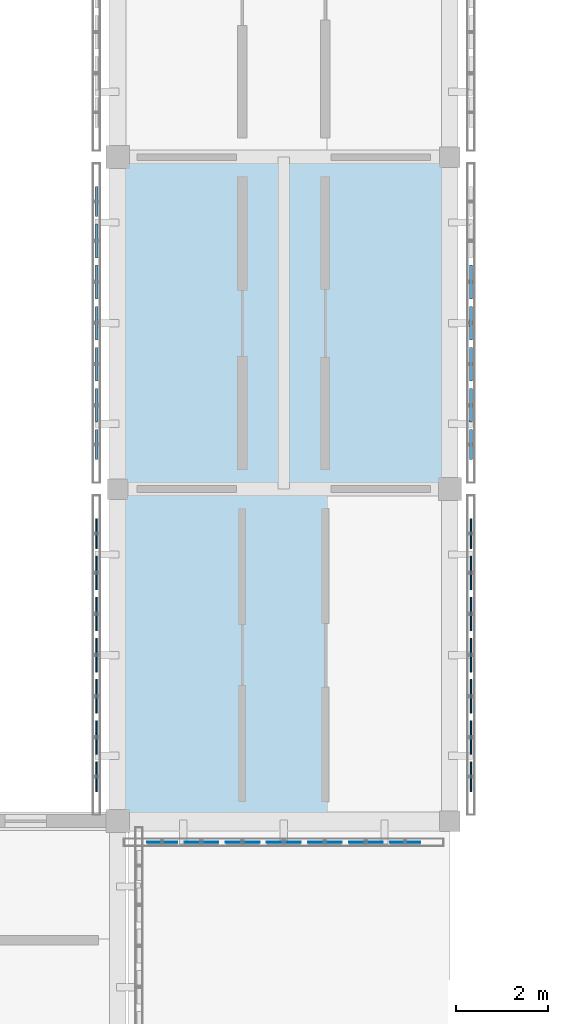
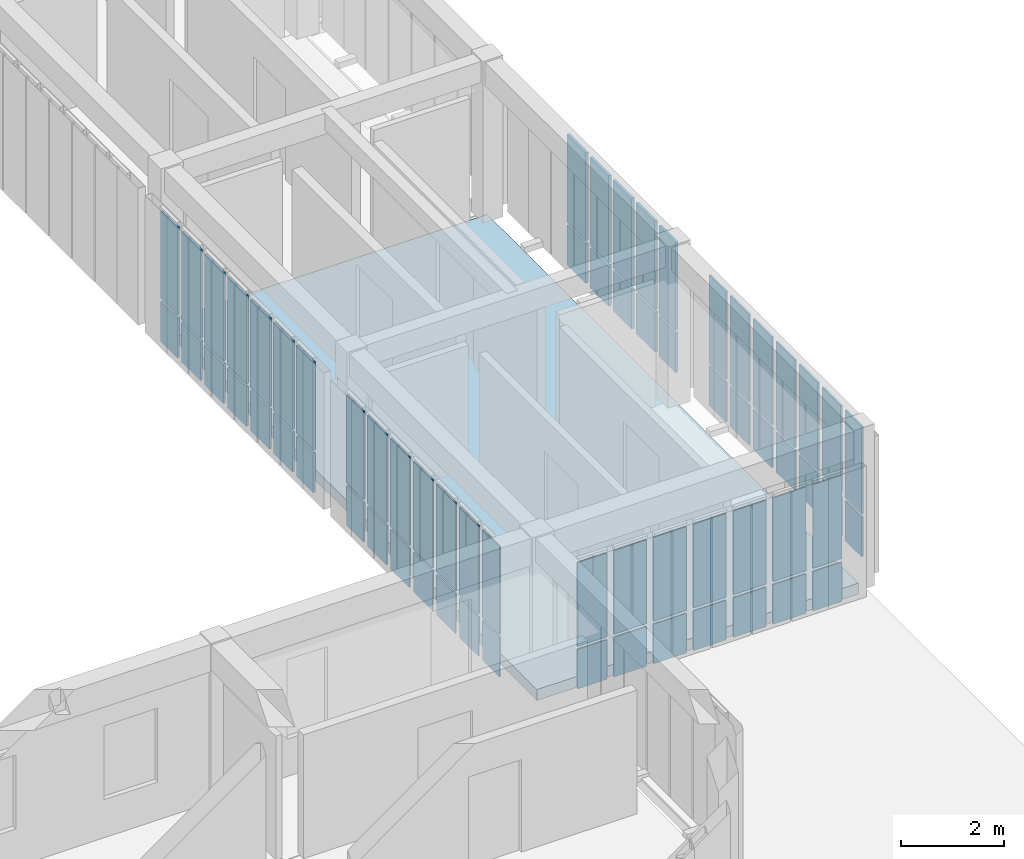
# One storey, part 39 of 67: 66 plates, 1 slab, 5 elements without a shape of their own.
"""IFC4 building model written with IfcOpenShell, lengths in metres."""

from ifc_helpers import new_model, si_unit, direction, frame, origin, origin_2d, place, context, subcontext, project, spatial, polyline, rectangle, outline, extrude, material, layer, layer_set, type_object, element, aggregate, save


model = new_model("IFC4")

# Units and contexts
model_context = context("Model", 3, precision=1e-05, world=origin(), true_north=direction((0.0, 1.0)))
body_context = subcontext(model_context, "Body", "Model", "MODEL_VIEW")
ifc_project = project(units=[si_unit("LENGTHUNIT", "METRE"), si_unit("AREAUNIT", "SQUARE_METRE"), si_unit("VOLUMEUNIT", "CUBIC_METRE"), si_unit("PLANEANGLEUNIT", "RADIAN"), si_unit("MASSUNIT", "GRAM", prefix="KILO")], contexts=[model_context])

# Site, building, storey
site_placement = place(None, origin())
site = spatial("IfcSite", under=ifc_project, at=site_placement, CompositionType="ELEMENT")
building_placement = place(site_placement, origin())
building = spatial("IfcBuilding", under=site, at=building_placement, Name="Aldebral Square Health Centre", CompositionType="ELEMENT")
storey_placement = place(building_placement, frame((0.0, 0.0, 13.5)))
storey = spatial("IfcBuildingStorey", under=building, at=storey_placement, Name="L03", CompositionType="ELEMENT", Elevation=13.5)

# Curtain wall, plates
ifc_material_1 = material(Name="Aluminium and low-E solar glass", Category="aluminium")
curtain_wall_type = type_object("IfcCurtainWallType", Name="CW-FIN-SYS", PredefinedType="USERDEFINED", material=ifc_material_1)
curtain_wall_1_placement = place(storey_placement, origin())
curtain_wall_1 = element("IfcCurtainWall", 1, at=curtain_wall_1_placement, inside=storey, type_object=curtain_wall_type, Name="L03 V4 finned curtain wall L03-V4-03-09-S", ObjectType="SOLAR_CURTAIN_WALL", PredefinedType="USERDEFINED")
ifc_material_2 = material(Name="Solar-control low-E double glass", Category="glass")
ifc_layer_1 = layer(ifc_material_2, 0.02001953125, Name="Solar-control low-E double glass", Category="glass")
ifc_layer_set_1 = layer_set([ifc_layer_1], Name="Solar-control low-E double glass")
plate_type_1 = type_object("IfcPlateType", Name="CWP-GLZ-1", PredefinedType="CURTAIN_PANEL", material=ifc_layer_set_1)
plate_1_placement = place(storey_placement, frame((22.565673828125, 64.340087890625, 0.074951171875), z_axis=(0.0, 0.0, 1.0), x_axis=(1.0, 0.0, 0.0)))
plate_1 = element("IfcPlate", 2, at=plate_1_placement, type_object=plate_type_1, Name="CW1 panel 1.1", PredefinedType="CURTAIN_PANEL", context=body_context, shape_type="SweptSolid", body=[
    extrude(rectangle(XDim=0.6513671875, YDim=0.02001953125, at=origin_2d()), origin(), (0.0, 0.0, 1.0), 0.9375),
])
plate_2_placement = place(storey_placement, frame((22.565673828125, 64.340087890625, 1.08740234375), z_axis=(0.0, 0.0, 1.0), x_axis=(1.0, 0.0, 0.0)))
plate_2 = element("IfcPlate", 3, at=plate_2_placement, type_object=plate_type_1, Name="CW1 panel 1.2", PredefinedType="CURTAIN_PANEL", context=body_context, shape_type="SweptSolid", body=[
    extrude(rectangle(XDim=0.6513671875, YDim=0.02001953125, at=origin_2d()), origin(), (0.0, 0.0, 1.0), 1.9775390625),
])
plate_3_placement = place(storey_placement, frame((23.417236328125, 64.340087890625, 0.074951171875), z_axis=(0.0, 0.0, 1.0), x_axis=(1.0, 0.0, 0.0)))
plate_3 = element("IfcPlate", 4, at=plate_3_placement, type_object=plate_type_1, Name="CW1 panel 2.1", PredefinedType="CURTAIN_PANEL", context=body_context, shape_type="SweptSolid", body=[
    extrude(rectangle(XDim=0.7314453125, YDim=0.02001953125, at=origin_2d()), origin(), (0.0, 0.0, 1.0), 0.9375),
])
plate_4_placement = place(storey_placement, frame((23.417236328125, 64.340087890625, 1.08740234375), z_axis=(0.0, 0.0, 1.0), x_axis=(1.0, 0.0, 0.0)))
plate_4 = element("IfcPlate", 5, at=plate_4_placement, type_object=plate_type_1, Name="CW1 panel 2.2", PredefinedType="CURTAIN_PANEL", context=body_context, shape_type="SweptSolid", body=[
    extrude(rectangle(XDim=0.7314453125, YDim=0.02001953125, at=origin_2d()), origin(), (0.0, 0.0, 1.0), 1.9775390625),
])
plate_5_placement = place(storey_placement, frame((24.30859375, 64.340087890625, 0.074951171875), z_axis=(0.0, 0.0, 1.0), x_axis=(1.0, 0.0, 0.0)))
plate_5 = element("IfcPlate", 6, at=plate_5_placement, type_object=plate_type_1, Name="CW1 panel 3.1", PredefinedType="CURTAIN_PANEL", context=body_context, shape_type="SweptSolid", body=[
    extrude(rectangle(XDim=0.7314453125, YDim=0.02001953125, at=origin_2d()), origin(), (0.0, 0.0, 1.0), 0.9375),
])
plate_6_placement = place(storey_placement, frame((24.30859375, 64.340087890625, 1.08740234375), z_axis=(0.0, 0.0, 1.0), x_axis=(1.0, 0.0, 0.0)))
plate_6 = element("IfcPlate", 7, at=plate_6_placement, type_object=plate_type_1, Name="CW1 panel 3.2", PredefinedType="CURTAIN_PANEL", context=body_context, shape_type="SweptSolid", body=[
    extrude(rectangle(XDim=0.7314453125, YDim=0.02001953125, at=origin_2d()), origin(), (0.0, 0.0, 1.0), 1.9775390625),
])
plate_7_placement = place(storey_placement, frame((25.199951171875, 64.340087890625, 0.074951171875), z_axis=(0.0, 0.0, 1.0), x_axis=(1.0, 0.0, 0.0)))
plate_7 = element("IfcPlate", 8, at=plate_7_placement, type_object=plate_type_1, Name="CW1 panel 4.1", PredefinedType="CURTAIN_PANEL", context=body_context, shape_type="SweptSolid", body=[
    extrude(rectangle(XDim=0.7314453125, YDim=0.02001953125, at=origin_2d()), origin(), (0.0, 0.0, 1.0), 0.9375),
])
plate_8_placement = place(storey_placement, frame((25.199951171875, 64.340087890625, 1.08740234375), z_axis=(0.0, 0.0, 1.0), x_axis=(1.0, 0.0, 0.0)))
plate_8 = element("IfcPlate", 9, at=plate_8_placement, type_object=plate_type_1, Name="CW1 panel 4.2", PredefinedType="CURTAIN_PANEL", context=body_context, shape_type="SweptSolid", body=[
    extrude(rectangle(XDim=0.7314453125, YDim=0.02001953125, at=origin_2d()), origin(), (0.0, 0.0, 1.0), 1.9775390625),
])
plate_9_placement = place(storey_placement, frame((26.09130859375, 64.340087890625, 0.074951171875), z_axis=(0.0, 0.0, 1.0), x_axis=(1.0, 0.0, 0.0)))
plate_9 = element("IfcPlate", 10, at=plate_9_placement, type_object=plate_type_1, Name="CW1 panel 5.1", PredefinedType="CURTAIN_PANEL", context=body_context, shape_type="SweptSolid", body=[
    extrude(rectangle(XDim=0.7314453125, YDim=0.02001953125, at=origin_2d()), origin(), (0.0, 0.0, 1.0), 0.9375),
])
plate_10_placement = place(storey_placement, frame((26.09130859375, 64.340087890625, 1.08740234375), z_axis=(0.0, 0.0, 1.0), x_axis=(1.0, 0.0, 0.0)))
plate_10 = element("IfcPlate", 11, at=plate_10_placement, type_object=plate_type_1, Name="CW1 panel 5.2", PredefinedType="CURTAIN_PANEL", context=body_context, shape_type="SweptSolid", body=[
    extrude(rectangle(XDim=0.7314453125, YDim=0.02001953125, at=origin_2d()), origin(), (0.0, 0.0, 1.0), 1.9775390625),
])
plate_11_placement = place(storey_placement, frame((26.98291015625, 64.340087890625, 0.074951171875), z_axis=(0.0, 0.0, 1.0), x_axis=(1.0, 0.0, 0.0)))
plate_11 = element("IfcPlate", 12, at=plate_11_placement, type_object=plate_type_1, Name="CW1 panel 6.1", PredefinedType="CURTAIN_PANEL", context=body_context, shape_type="SweptSolid", body=[
    extrude(rectangle(XDim=0.7314453125, YDim=0.02001953125, at=origin_2d()), origin(), (0.0, 0.0, 1.0), 0.9375),
])
plate_12_placement = place(storey_placement, frame((26.98291015625, 64.340087890625, 1.08740234375), z_axis=(0.0, 0.0, 1.0), x_axis=(1.0, 0.0, 0.0)))
plate_12 = element("IfcPlate", 13, at=plate_12_placement, type_object=plate_type_1, Name="CW1 panel 6.2", PredefinedType="CURTAIN_PANEL", context=body_context, shape_type="SweptSolid", body=[
    extrude(rectangle(XDim=0.7314453125, YDim=0.02001953125, at=origin_2d()), origin(), (0.0, 0.0, 1.0), 1.9775390625),
])
plate_13_placement = place(storey_placement, frame((27.834228515625, 64.340087890625, 0.074951171875), z_axis=(0.0, 0.0, 1.0), x_axis=(1.0, 0.0, 0.0)))
plate_13 = element("IfcPlate", 14, at=plate_13_placement, type_object=plate_type_1, Name="CW1 panel 7.1", PredefinedType="CURTAIN_PANEL", context=body_context, shape_type="SweptSolid", body=[
    extrude(rectangle(XDim=0.6513671875, YDim=0.02001953125, at=origin_2d()), origin(), (0.0, 0.0, 1.0), 0.9375),
])
plate_14_placement = place(storey_placement, frame((27.834228515625, 64.340087890625, 1.08740234375), z_axis=(0.0, 0.0, 1.0), x_axis=(1.0, 0.0, 0.0)))
plate_14 = element("IfcPlate", 15, at=plate_14_placement, type_object=plate_type_1, Name="CW1 panel 7.2", PredefinedType="CURTAIN_PANEL", context=body_context, shape_type="SweptSolid", body=[
    extrude(rectangle(XDim=0.6513671875, YDim=0.02001953125, at=origin_2d()), origin(), (0.0, 0.0, 1.0), 1.9775390625),
])
aggregate(curtain_wall_1, [plate_1, plate_2, plate_3, plate_4, plate_5, plate_6, plate_7, plate_8, plate_9, plate_10, plate_11, plate_12, plate_13, plate_14])

curtain_wall_2_placement = place(storey_placement, origin())
curtain_wall_2 = element("IfcCurtainWall", 16, at=curtain_wall_2_placement, inside=storey, type_object=curtain_wall_type, Name="L03 V4 finned curtain wall L03-V4-03-09-W", ObjectType="SOLAR_CURTAIN_WALL", PredefinedType="USERDEFINED")
ifc_layer_2 = layer(ifc_material_2, 0.030029296875, Name="Solar-control low-E double glass", Category="glass")
ifc_layer_set_2 = layer_set([ifc_layer_2], Name="Solar-control low-E double glass")
plate_type_2 = type_object("IfcPlateType", Name="CWP-GLZ-2", PredefinedType="CURTAIN_PANEL", material=ifc_layer_set_2)
plate_15_placement = place(storey_placement, frame((21.139892578125, 71.0341796875, 0.074951171875), z_axis=(0.0, 0.0, 1.0), x_axis=(0.0, -1.0, 0.0)))
plate_15 = element("IfcPlate", 17, at=plate_15_placement, type_object=plate_type_2, Name="CW1 panel 1.1", PredefinedType="CURTAIN_PANEL", context=body_context, shape_type="SweptSolid", body=[
    extrude(rectangle(XDim=0.6513671875, YDim=0.030029296875, at=origin_2d()), origin(), (0.0, 0.0, 1.0), 0.9375),
])
plate_16_placement = place(storey_placement, frame((21.139892578125, 71.0341796875, 1.08740234375), z_axis=(0.0, 0.0, 1.0), x_axis=(0.0, -1.0, 0.0)))
plate_16 = element("IfcPlate", 18, at=plate_16_placement, type_object=plate_type_2, Name="CW1 panel 1.2", PredefinedType="CURTAIN_PANEL", context=body_context, shape_type="SweptSolid", body=[
    extrude(rectangle(XDim=0.6513671875, YDim=0.030029296875, at=origin_2d()), origin(), (0.0, 0.0, 1.0), 2.077392578125),
])
plate_17_placement = place(storey_placement, frame((21.139892578125, 70.182861328125, 0.074951171875), z_axis=(0.0, 0.0, 1.0), x_axis=(0.0, -1.0, 0.0)))
plate_17 = element("IfcPlate", 19, at=plate_17_placement, type_object=plate_type_2, Name="CW1 panel 2.1", PredefinedType="CURTAIN_PANEL", context=body_context, shape_type="SweptSolid", body=[
    extrude(rectangle(XDim=0.7314453125, YDim=0.030029296875, at=origin_2d()), origin(), (0.0, 0.0, 1.0), 0.9375),
])
plate_18_placement = place(storey_placement, frame((21.139892578125, 70.182861328125, 1.08740234375), z_axis=(0.0, 0.0, 1.0), x_axis=(0.0, -1.0, 0.0)))
plate_18 = element("IfcPlate", 20, at=plate_18_placement, type_object=plate_type_2, Name="CW1 panel 2.2", PredefinedType="CURTAIN_PANEL", context=body_context, shape_type="SweptSolid", body=[
    extrude(rectangle(XDim=0.7314453125, YDim=0.030029296875, at=origin_2d()), origin(), (0.0, 0.0, 1.0), 2.077392578125),
])
plate_19_placement = place(storey_placement, frame((21.139892578125, 69.29150390625, 0.074951171875), z_axis=(0.0, 0.0, 1.0), x_axis=(0.0, -1.0, 0.0)))
plate_19 = element("IfcPlate", 21, at=plate_19_placement, type_object=plate_type_2, Name="CW1 panel 3.1", PredefinedType="CURTAIN_PANEL", context=body_context, shape_type="SweptSolid", body=[
    extrude(rectangle(XDim=0.7314453125, YDim=0.030029296875, at=origin_2d()), origin(), (0.0, 0.0, 1.0), 0.9375),
])
plate_20_placement = place(storey_placement, frame((21.139892578125, 69.29150390625, 1.08740234375), z_axis=(0.0, 0.0, 1.0), x_axis=(0.0, -1.0, 0.0)))
plate_20 = element("IfcPlate", 22, at=plate_20_placement, type_object=plate_type_2, Name="CW1 panel 3.2", PredefinedType="CURTAIN_PANEL", context=body_context, shape_type="SweptSolid", body=[
    extrude(rectangle(XDim=0.7314453125, YDim=0.030029296875, at=origin_2d()), origin(), (0.0, 0.0, 1.0), 2.077392578125),
])
plate_21_placement = place(storey_placement, frame((21.139892578125, 68.39990234375, 0.074951171875), z_axis=(0.0, 0.0, 1.0), x_axis=(0.0, -1.0, 0.0)))
plate_21 = element("IfcPlate", 23, at=plate_21_placement, type_object=plate_type_2, Name="CW1 panel 4.1", PredefinedType="CURTAIN_PANEL", context=body_context, shape_type="SweptSolid", body=[
    extrude(rectangle(XDim=0.7314453125, YDim=0.030029296875, at=origin_2d()), origin(), (0.0, 0.0, 1.0), 0.9375),
])
plate_22_placement = place(storey_placement, frame((21.139892578125, 68.39990234375, 1.08740234375), z_axis=(0.0, 0.0, 1.0), x_axis=(0.0, -1.0, 0.0)))
plate_22 = element("IfcPlate", 24, at=plate_22_placement, type_object=plate_type_2, Name="CW1 panel 4.2", PredefinedType="CURTAIN_PANEL", context=body_context, shape_type="SweptSolid", body=[
    extrude(rectangle(XDim=0.7314453125, YDim=0.030029296875, at=origin_2d()), origin(), (0.0, 0.0, 1.0), 2.077392578125),
])
plate_23_placement = place(storey_placement, frame((21.139892578125, 67.508544921875, 0.074951171875), z_axis=(0.0, 0.0, 1.0), x_axis=(0.0, -1.0, 0.0)))
plate_23 = element("IfcPlate", 25, at=plate_23_placement, type_object=plate_type_2, Name="CW1 panel 5.1", PredefinedType="CURTAIN_PANEL", context=body_context, shape_type="SweptSolid", body=[
    extrude(rectangle(XDim=0.7314453125, YDim=0.030029296875, at=origin_2d()), origin(), (0.0, 0.0, 1.0), 0.9375),
])
plate_24_placement = place(storey_placement, frame((21.139892578125, 67.508544921875, 1.08740234375), z_axis=(0.0, 0.0, 1.0), x_axis=(0.0, -1.0, 0.0)))
plate_24 = element("IfcPlate", 26, at=plate_24_placement, type_object=plate_type_2, Name="CW1 panel 5.2", PredefinedType="CURTAIN_PANEL", context=body_context, shape_type="SweptSolid", body=[
    extrude(rectangle(XDim=0.7314453125, YDim=0.030029296875, at=origin_2d()), origin(), (0.0, 0.0, 1.0), 2.077392578125),
])
plate_25_placement = place(storey_placement, frame((21.139892578125, 66.6171875, 0.074951171875), z_axis=(0.0, 0.0, 1.0), x_axis=(0.0, -1.0, 0.0)))
plate_25 = element("IfcPlate", 27, at=plate_25_placement, type_object=plate_type_2, Name="CW1 panel 6.1", PredefinedType="CURTAIN_PANEL", context=body_context, shape_type="SweptSolid", body=[
    extrude(rectangle(XDim=0.7314453125, YDim=0.030029296875, at=origin_2d()), origin(), (0.0, 0.0, 1.0), 0.9375),
])
plate_26_placement = place(storey_placement, frame((21.139892578125, 66.6171875, 1.08740234375), z_axis=(0.0, 0.0, 1.0), x_axis=(0.0, -1.0, 0.0)))
plate_26 = element("IfcPlate", 28, at=plate_26_placement, type_object=plate_type_2, Name="CW1 panel 6.2", PredefinedType="CURTAIN_PANEL", context=body_context, shape_type="SweptSolid", body=[
    extrude(rectangle(XDim=0.7314453125, YDim=0.030029296875, at=origin_2d()), origin(), (0.0, 0.0, 1.0), 2.077392578125),
])
plate_27_placement = place(storey_placement, frame((21.139892578125, 65.765625, 0.074951171875), z_axis=(0.0, 0.0, 1.0), x_axis=(0.0, -1.0, 0.0)))
plate_27 = element("IfcPlate", 29, at=plate_27_placement, type_object=plate_type_2, Name="CW1 panel 7.1", PredefinedType="CURTAIN_PANEL", context=body_context, shape_type="SweptSolid", body=[
    extrude(rectangle(XDim=0.6513671875, YDim=0.030029296875, at=origin_2d()), origin(), (0.0, 0.0, 1.0), 0.9375),
])
plate_28_placement = place(storey_placement, frame((21.139892578125, 65.765625, 1.08740234375), z_axis=(0.0, 0.0, 1.0), x_axis=(0.0, -1.0, 0.0)))
plate_28 = element("IfcPlate", 30, at=plate_28_placement, type_object=plate_type_2, Name="CW1 panel 7.2", PredefinedType="CURTAIN_PANEL", context=body_context, shape_type="SweptSolid", body=[
    extrude(rectangle(XDim=0.6513671875, YDim=0.030029296875, at=origin_2d()), origin(), (0.0, 0.0, 1.0), 2.077392578125),
])
aggregate(curtain_wall_2, [plate_15, plate_16, plate_17, plate_18, plate_19, plate_20, plate_21, plate_22, plate_23, plate_24, plate_25, plate_26, plate_27, plate_28])

curtain_wall_3_placement = place(storey_placement, origin())
curtain_wall_3 = element("IfcCurtainWall", 31, at=curtain_wall_3_placement, inside=storey, type_object=curtain_wall_type, Name="L03 V4 finned curtain wall L03-V4-03-09-E", ObjectType="SOLAR_CURTAIN_WALL", PredefinedType="USERDEFINED")
ifc_layer_3 = layer(ifc_material_2, 0.0400390625, Name="Solar-control low-E double glass", Category="glass")
ifc_layer_set_3 = layer_set([ifc_layer_3], Name="Solar-control low-E double glass")
plate_type_3 = type_object("IfcPlateType", Name="CWP-GLZ-3", PredefinedType="CURTAIN_PANEL", material=ifc_layer_set_3)
plate_29_placement = place(storey_placement, frame((29.260009765625, 65.765625, 0.074951171875), z_axis=(0.0, 0.0, 1.0), x_axis=(0.0, 1.0, 0.0)))
plate_29 = element("IfcPlate", 32, at=plate_29_placement, type_object=plate_type_3, Name="CW1 panel 1.1", PredefinedType="CURTAIN_PANEL", context=body_context, shape_type="SweptSolid", body=[
    extrude(rectangle(XDim=0.6513671875, YDim=0.0400390625, at=origin_2d()), origin(), (0.0, 0.0, 1.0), 0.9375),
])
plate_30_placement = place(storey_placement, frame((29.260009765625, 65.765625, 1.08740234375), z_axis=(0.0, 0.0, 1.0), x_axis=(0.0, 1.0, 0.0)))
plate_30 = element("IfcPlate", 33, at=plate_30_placement, type_object=plate_type_3, Name="CW1 panel 1.2", PredefinedType="CURTAIN_PANEL", context=body_context, shape_type="SweptSolid", body=[
    extrude(rectangle(XDim=0.6513671875, YDim=0.0400390625, at=origin_2d()), origin(), (0.0, 0.0, 1.0), 2.077392578125),
])
plate_31_placement = place(storey_placement, frame((29.260009765625, 66.6171875, 0.074951171875), z_axis=(0.0, 0.0, 1.0), x_axis=(0.0, 1.0, 0.0)))
plate_31 = element("IfcPlate", 34, at=plate_31_placement, type_object=plate_type_3, Name="CW1 panel 2.1", PredefinedType="CURTAIN_PANEL", context=body_context, shape_type="SweptSolid", body=[
    extrude(rectangle(XDim=0.7314453125, YDim=0.0400390625, at=origin_2d()), origin(), (0.0, 0.0, 1.0), 0.9375),
])
plate_32_placement = place(storey_placement, frame((29.260009765625, 66.6171875, 1.08740234375), z_axis=(0.0, 0.0, 1.0), x_axis=(0.0, 1.0, 0.0)))
plate_32 = element("IfcPlate", 35, at=plate_32_placement, type_object=plate_type_3, Name="CW1 panel 2.2", PredefinedType="CURTAIN_PANEL", context=body_context, shape_type="SweptSolid", body=[
    extrude(rectangle(XDim=0.7314453125, YDim=0.0400390625, at=origin_2d()), origin(), (0.0, 0.0, 1.0), 2.077392578125),
])
plate_33_placement = place(storey_placement, frame((29.260009765625, 67.508544921875, 0.074951171875), z_axis=(0.0, 0.0, 1.0), x_axis=(0.0, 1.0, 0.0)))
plate_33 = element("IfcPlate", 36, at=plate_33_placement, type_object=plate_type_3, Name="CW1 panel 3.1", PredefinedType="CURTAIN_PANEL", context=body_context, shape_type="SweptSolid", body=[
    extrude(rectangle(XDim=0.7314453125, YDim=0.0400390625, at=origin_2d()), origin(), (0.0, 0.0, 1.0), 0.9375),
])
plate_34_placement = place(storey_placement, frame((29.260009765625, 67.508544921875, 1.08740234375), z_axis=(0.0, 0.0, 1.0), x_axis=(0.0, 1.0, 0.0)))
plate_34 = element("IfcPlate", 37, at=plate_34_placement, type_object=plate_type_3, Name="CW1 panel 3.2", PredefinedType="CURTAIN_PANEL", context=body_context, shape_type="SweptSolid", body=[
    extrude(rectangle(XDim=0.7314453125, YDim=0.0400390625, at=origin_2d()), origin(), (0.0, 0.0, 1.0), 2.077392578125),
])
plate_35_placement = place(storey_placement, frame((29.260009765625, 68.39990234375, 0.074951171875), z_axis=(0.0, 0.0, 1.0), x_axis=(0.0, 1.0, 0.0)))
plate_35 = element("IfcPlate", 38, at=plate_35_placement, type_object=plate_type_3, Name="CW1 panel 4.1", PredefinedType="CURTAIN_PANEL", context=body_context, shape_type="SweptSolid", body=[
    extrude(rectangle(XDim=0.7314453125, YDim=0.0400390625, at=origin_2d()), origin(), (0.0, 0.0, 1.0), 0.9375),
])
plate_36_placement = place(storey_placement, frame((29.260009765625, 68.39990234375, 1.08740234375), z_axis=(0.0, 0.0, 1.0), x_axis=(0.0, 1.0, 0.0)))
plate_36 = element("IfcPlate", 39, at=plate_36_placement, type_object=plate_type_3, Name="CW1 panel 4.2", PredefinedType="CURTAIN_PANEL", context=body_context, shape_type="SweptSolid", body=[
    extrude(rectangle(XDim=0.7314453125, YDim=0.0400390625, at=origin_2d()), origin(), (0.0, 0.0, 1.0), 2.077392578125),
])
plate_37_placement = place(storey_placement, frame((29.260009765625, 69.29150390625, 0.074951171875), z_axis=(0.0, 0.0, 1.0), x_axis=(0.0, 1.0, 0.0)))
plate_37 = element("IfcPlate", 40, at=plate_37_placement, type_object=plate_type_3, Name="CW1 panel 5.1", PredefinedType="CURTAIN_PANEL", context=body_context, shape_type="SweptSolid", body=[
    extrude(rectangle(XDim=0.7314453125, YDim=0.0400390625, at=origin_2d()), origin(), (0.0, 0.0, 1.0), 0.9375),
])
plate_38_placement = place(storey_placement, frame((29.260009765625, 69.29150390625, 1.08740234375), z_axis=(0.0, 0.0, 1.0), x_axis=(0.0, 1.0, 0.0)))
plate_38 = element("IfcPlate", 41, at=plate_38_placement, type_object=plate_type_3, Name="CW1 panel 5.2", PredefinedType="CURTAIN_PANEL", context=body_context, shape_type="SweptSolid", body=[
    extrude(rectangle(XDim=0.7314453125, YDim=0.0400390625, at=origin_2d()), origin(), (0.0, 0.0, 1.0), 2.077392578125),
])
plate_39_placement = place(storey_placement, frame((29.260009765625, 70.182861328125, 0.074951171875), z_axis=(0.0, 0.0, 1.0), x_axis=(0.0, 1.0, 0.0)))
plate_39 = element("IfcPlate", 42, at=plate_39_placement, type_object=plate_type_3, Name="CW1 panel 6.1", PredefinedType="CURTAIN_PANEL", context=body_context, shape_type="SweptSolid", body=[
    extrude(rectangle(XDim=0.7314453125, YDim=0.0400390625, at=origin_2d()), origin(), (0.0, 0.0, 1.0), 0.9375),
])
plate_40_placement = place(storey_placement, frame((29.260009765625, 70.182861328125, 1.08740234375), z_axis=(0.0, 0.0, 1.0), x_axis=(0.0, 1.0, 0.0)))
plate_40 = element("IfcPlate", 43, at=plate_40_placement, type_object=plate_type_3, Name="CW1 panel 6.2", PredefinedType="CURTAIN_PANEL", context=body_context, shape_type="SweptSolid", body=[
    extrude(rectangle(XDim=0.7314453125, YDim=0.0400390625, at=origin_2d()), origin(), (0.0, 0.0, 1.0), 2.077392578125),
])
plate_41_placement = place(storey_placement, frame((29.260009765625, 71.0341796875, 0.074951171875), z_axis=(0.0, 0.0, 1.0), x_axis=(0.0, 1.0, 0.0)))
plate_41 = element("IfcPlate", 44, at=plate_41_placement, type_object=plate_type_3, Name="CW1 panel 7.1", PredefinedType="CURTAIN_PANEL", context=body_context, shape_type="SweptSolid", body=[
    extrude(rectangle(XDim=0.6513671875, YDim=0.0400390625, at=origin_2d()), origin(), (0.0, 0.0, 1.0), 0.9375),
])
plate_42_placement = place(storey_placement, frame((29.260009765625, 71.0341796875, 1.08740234375), z_axis=(0.0, 0.0, 1.0), x_axis=(0.0, 1.0, 0.0)))
plate_42 = element("IfcPlate", 45, at=plate_42_placement, type_object=plate_type_3, Name="CW1 panel 7.2", PredefinedType="CURTAIN_PANEL", context=body_context, shape_type="SweptSolid", body=[
    extrude(rectangle(XDim=0.6513671875, YDim=0.0400390625, at=origin_2d()), origin(), (0.0, 0.0, 1.0), 2.077392578125),
])
aggregate(curtain_wall_3, [plate_29, plate_30, plate_31, plate_32, plate_33, plate_34, plate_35, plate_36, plate_37, plate_38, plate_39, plate_40, plate_41, plate_42])

curtain_wall_4_placement = place(storey_placement, origin())
curtain_wall_4 = element("IfcCurtainWall", 46, at=curtain_wall_4_placement, inside=storey, type_object=curtain_wall_type, Name="L03 V4 finned curtain wall L03-V4-03-10-W", ObjectType="SOLAR_CURTAIN_WALL", PredefinedType="USERDEFINED")
ifc_layer_4 = layer(ifc_material_2, 0.050048828125, Name="Solar-control low-E double glass", Category="glass")
ifc_layer_set_4 = layer_set([ifc_layer_4], Name="Solar-control low-E double glass")
plate_type_4 = type_object("IfcPlateType", Name="CWP-GLZ-4", PredefinedType="CURTAIN_PANEL", material=ifc_layer_set_4)
plate_43_placement = place(storey_placement, frame((21.139892578125, 78.234375, 0.074951171875), z_axis=(0.0, 0.0, 1.0), x_axis=(0.0, -1.0, 0.0)))
plate_43 = element("IfcPlate", 47, at=plate_43_placement, type_object=plate_type_4, Name="CW1 panel 1.1", PredefinedType="CURTAIN_PANEL", context=body_context, shape_type="SweptSolid", body=[
    extrude(rectangle(XDim=0.6513671875, YDim=0.050048828125, at=origin_2d()), origin(), (0.0, 0.0, 1.0), 0.9375),
])
plate_44_placement = place(storey_placement, frame((21.139892578125, 78.234375, 1.08740234375), z_axis=(0.0, 0.0, 1.0), x_axis=(0.0, -1.0, 0.0)))
plate_44 = element("IfcPlate", 48, at=plate_44_placement, type_object=plate_type_4, Name="CW1 panel 1.2", PredefinedType="CURTAIN_PANEL", context=body_context, shape_type="SweptSolid", body=[
    extrude(rectangle(XDim=0.6513671875, YDim=0.050048828125, at=origin_2d()), origin(), (0.0, 0.0, 1.0), 2.077392578125),
])
plate_45_placement = place(storey_placement, frame((21.139892578125, 77.3828125, 0.074951171875), z_axis=(0.0, 0.0, 1.0), x_axis=(0.0, -1.0, 0.0)))
plate_45 = element("IfcPlate", 49, at=plate_45_placement, type_object=plate_type_4, Name="CW1 panel 2.1", PredefinedType="CURTAIN_PANEL", context=body_context, shape_type="SweptSolid", body=[
    extrude(rectangle(XDim=0.7314453125, YDim=0.050048828125, at=origin_2d()), origin(), (0.0, 0.0, 1.0), 0.9375),
])
plate_46_placement = place(storey_placement, frame((21.139892578125, 77.3828125, 1.08740234375), z_axis=(0.0, 0.0, 1.0), x_axis=(0.0, -1.0, 0.0)))
plate_46 = element("IfcPlate", 50, at=plate_46_placement, type_object=plate_type_4, Name="CW1 panel 2.2", PredefinedType="CURTAIN_PANEL", context=body_context, shape_type="SweptSolid", body=[
    extrude(rectangle(XDim=0.7314453125, YDim=0.050048828125, at=origin_2d()), origin(), (0.0, 0.0, 1.0), 2.077392578125),
])
plate_47_placement = place(storey_placement, frame((21.139892578125, 76.491455078125, 0.074951171875), z_axis=(0.0, 0.0, 1.0), x_axis=(0.0, -1.0, 0.0)))
plate_47 = element("IfcPlate", 51, at=plate_47_placement, type_object=plate_type_4, Name="CW1 panel 3.1", PredefinedType="CURTAIN_PANEL", context=body_context, shape_type="SweptSolid", body=[
    extrude(rectangle(XDim=0.7314453125, YDim=0.050048828125, at=origin_2d()), origin(), (0.0, 0.0, 1.0), 0.9375),
])
plate_48_placement = place(storey_placement, frame((21.139892578125, 76.491455078125, 1.08740234375), z_axis=(0.0, 0.0, 1.0), x_axis=(0.0, -1.0, 0.0)))
plate_48 = element("IfcPlate", 52, at=plate_48_placement, type_object=plate_type_4, Name="CW1 panel 3.2", PredefinedType="CURTAIN_PANEL", context=body_context, shape_type="SweptSolid", body=[
    extrude(rectangle(XDim=0.7314453125, YDim=0.050048828125, at=origin_2d()), origin(), (0.0, 0.0, 1.0), 2.077392578125),
])
plate_49_placement = place(storey_placement, frame((21.139892578125, 75.60009765625, 0.074951171875), z_axis=(0.0, 0.0, 1.0), x_axis=(0.0, -1.0, 0.0)))
plate_49 = element("IfcPlate", 53, at=plate_49_placement, type_object=plate_type_4, Name="CW1 panel 4.1", PredefinedType="CURTAIN_PANEL", context=body_context, shape_type="SweptSolid", body=[
    extrude(rectangle(XDim=0.7314453125, YDim=0.050048828125, at=origin_2d()), origin(), (0.0, 0.0, 1.0), 0.9375),
])
plate_50_placement = place(storey_placement, frame((21.139892578125, 75.60009765625, 1.08740234375), z_axis=(0.0, 0.0, 1.0), x_axis=(0.0, -1.0, 0.0)))
plate_50 = element("IfcPlate", 54, at=plate_50_placement, type_object=plate_type_4, Name="CW1 panel 4.2", PredefinedType="CURTAIN_PANEL", context=body_context, shape_type="SweptSolid", body=[
    extrude(rectangle(XDim=0.7314453125, YDim=0.050048828125, at=origin_2d()), origin(), (0.0, 0.0, 1.0), 2.077392578125),
])
plate_51_placement = place(storey_placement, frame((21.139892578125, 74.70849609375, 0.074951171875), z_axis=(0.0, 0.0, 1.0), x_axis=(0.0, -1.0, 0.0)))
plate_51 = element("IfcPlate", 55, at=plate_51_placement, type_object=plate_type_4, Name="CW1 panel 5.1", PredefinedType="CURTAIN_PANEL", context=body_context, shape_type="SweptSolid", body=[
    extrude(rectangle(XDim=0.7314453125, YDim=0.050048828125, at=origin_2d()), origin(), (0.0, 0.0, 1.0), 0.9375),
])
plate_52_placement = place(storey_placement, frame((21.139892578125, 74.70849609375, 1.08740234375), z_axis=(0.0, 0.0, 1.0), x_axis=(0.0, -1.0, 0.0)))
plate_52 = element("IfcPlate", 56, at=plate_52_placement, type_object=plate_type_4, Name="CW1 panel 5.2", PredefinedType="CURTAIN_PANEL", context=body_context, shape_type="SweptSolid", body=[
    extrude(rectangle(XDim=0.7314453125, YDim=0.050048828125, at=origin_2d()), origin(), (0.0, 0.0, 1.0), 2.077392578125),
])
plate_53_placement = place(storey_placement, frame((21.139892578125, 73.817138671875, 0.074951171875), z_axis=(0.0, 0.0, 1.0), x_axis=(0.0, -1.0, 0.0)))
plate_53 = element("IfcPlate", 57, at=plate_53_placement, type_object=plate_type_4, Name="CW1 panel 6.1", PredefinedType="CURTAIN_PANEL", context=body_context, shape_type="SweptSolid", body=[
    extrude(rectangle(XDim=0.7314453125, YDim=0.050048828125, at=origin_2d()), origin(), (0.0, 0.0, 1.0), 0.9375),
])
plate_54_placement = place(storey_placement, frame((21.139892578125, 73.817138671875, 1.08740234375), z_axis=(0.0, 0.0, 1.0), x_axis=(0.0, -1.0, 0.0)))
plate_54 = element("IfcPlate", 58, at=plate_54_placement, type_object=plate_type_4, Name="CW1 panel 6.2", PredefinedType="CURTAIN_PANEL", context=body_context, shape_type="SweptSolid", body=[
    extrude(rectangle(XDim=0.7314453125, YDim=0.050048828125, at=origin_2d()), origin(), (0.0, 0.0, 1.0), 2.077392578125),
])
plate_55_placement = place(storey_placement, frame((21.139892578125, 72.9658203125, 0.074951171875), z_axis=(0.0, 0.0, 1.0), x_axis=(0.0, -1.0, 0.0)))
plate_55 = element("IfcPlate", 59, at=plate_55_placement, type_object=plate_type_4, Name="CW1 panel 7.1", PredefinedType="CURTAIN_PANEL", context=body_context, shape_type="SweptSolid", body=[
    extrude(rectangle(XDim=0.6513671875, YDim=0.050048828125, at=origin_2d()), origin(), (0.0, 0.0, 1.0), 0.9375),
])
plate_56_placement = place(storey_placement, frame((21.139892578125, 72.9658203125, 1.08740234375), z_axis=(0.0, 0.0, 1.0), x_axis=(0.0, -1.0, 0.0)))
plate_56 = element("IfcPlate", 60, at=plate_56_placement, type_object=plate_type_4, Name="CW1 panel 7.2", PredefinedType="CURTAIN_PANEL", context=body_context, shape_type="SweptSolid", body=[
    extrude(rectangle(XDim=0.6513671875, YDim=0.050048828125, at=origin_2d()), origin(), (0.0, 0.0, 1.0), 2.077392578125),
])
aggregate(curtain_wall_4, [plate_43, plate_44, plate_45, plate_46, plate_47, plate_48, plate_49, plate_50, plate_51, plate_52, plate_53, plate_54, plate_55, plate_56])

curtain_wall_5_placement = place(storey_placement, origin())
curtain_wall_5 = element("IfcCurtainWall", 61, at=curtain_wall_5_placement, inside=storey, type_object=curtain_wall_type, Name="L03 V4 finned curtain wall L03-V4-03-10-E", ObjectType="SOLAR_CURTAIN_WALL", PredefinedType="USERDEFINED")
ifc_layer_5 = layer(ifc_material_2, 0.06005859375, Name="Solar-control low-E double glass", Category="glass")
ifc_layer_set_5 = layer_set([ifc_layer_5], Name="Solar-control low-E double glass")
plate_type_5 = type_object("IfcPlateType", Name="CWP-GLZ-5", PredefinedType="CURTAIN_PANEL", material=ifc_layer_set_5)
plate_57_placement = place(storey_placement, frame((29.260009765625, 72.9658203125, 0.074951171875), z_axis=(0.0, 0.0, 1.0), x_axis=(0.0, 1.0, 0.0)))
plate_57 = element("IfcPlate", 62, at=plate_57_placement, type_object=plate_type_5, Name="CW1 panel 1.1", PredefinedType="CURTAIN_PANEL", context=body_context, shape_type="SweptSolid", body=[
    extrude(rectangle(XDim=0.6513671875, YDim=0.06005859375, at=origin_2d()), origin(), (0.0, 0.0, 1.0), 0.9375),
])
plate_58_placement = place(storey_placement, frame((29.260009765625, 72.9658203125, 1.08740234375), z_axis=(0.0, 0.0, 1.0), x_axis=(0.0, 1.0, 0.0)))
plate_58 = element("IfcPlate", 63, at=plate_58_placement, type_object=plate_type_5, Name="CW1 panel 1.2", PredefinedType="CURTAIN_PANEL", context=body_context, shape_type="SweptSolid", body=[
    extrude(rectangle(XDim=0.6513671875, YDim=0.06005859375, at=origin_2d()), origin(), (0.0, 0.0, 1.0), 2.077392578125),
])
plate_59_placement = place(storey_placement, frame((29.260009765625, 73.817138671875, 0.074951171875), z_axis=(0.0, 0.0, 1.0), x_axis=(0.0, 1.0, 0.0)))
plate_59 = element("IfcPlate", 64, at=plate_59_placement, type_object=plate_type_5, Name="CW1 panel 2.1", PredefinedType="CURTAIN_PANEL", context=body_context, shape_type="SweptSolid", body=[
    extrude(rectangle(XDim=0.7314453125, YDim=0.06005859375, at=origin_2d()), origin(), (0.0, 0.0, 1.0), 0.9375),
])
plate_60_placement = place(storey_placement, frame((29.260009765625, 73.817138671875, 1.08740234375), z_axis=(0.0, 0.0, 1.0), x_axis=(0.0, 1.0, 0.0)))
plate_60 = element("IfcPlate", 65, at=plate_60_placement, type_object=plate_type_5, Name="CW1 panel 2.2", PredefinedType="CURTAIN_PANEL", context=body_context, shape_type="SweptSolid", body=[
    extrude(rectangle(XDim=0.7314453125, YDim=0.06005859375, at=origin_2d()), origin(), (0.0, 0.0, 1.0), 2.077392578125),
])
plate_61_placement = place(storey_placement, frame((29.260009765625, 74.70849609375, 0.074951171875), z_axis=(0.0, 0.0, 1.0), x_axis=(0.0, 1.0, 0.0)))
plate_61 = element("IfcPlate", 66, at=plate_61_placement, type_object=plate_type_5, Name="CW1 panel 3.1", PredefinedType="CURTAIN_PANEL", context=body_context, shape_type="SweptSolid", body=[
    extrude(rectangle(XDim=0.7314453125, YDim=0.06005859375, at=origin_2d()), origin(), (0.0, 0.0, 1.0), 0.9375),
])
plate_62_placement = place(storey_placement, frame((29.260009765625, 74.70849609375, 1.08740234375), z_axis=(0.0, 0.0, 1.0), x_axis=(0.0, 1.0, 0.0)))
plate_62 = element("IfcPlate", 67, at=plate_62_placement, type_object=plate_type_5, Name="CW1 panel 3.2", PredefinedType="CURTAIN_PANEL", context=body_context, shape_type="SweptSolid", body=[
    extrude(rectangle(XDim=0.7314453125, YDim=0.06005859375, at=origin_2d()), origin(), (0.0, 0.0, 1.0), 2.077392578125),
])
plate_63_placement = place(storey_placement, frame((29.260009765625, 75.60009765625, 0.074951171875), z_axis=(0.0, 0.0, 1.0), x_axis=(0.0, 1.0, 0.0)))
plate_63 = element("IfcPlate", 68, at=plate_63_placement, type_object=plate_type_5, Name="CW1 panel 4.1", PredefinedType="CURTAIN_PANEL", context=body_context, shape_type="SweptSolid", body=[
    extrude(rectangle(XDim=0.7314453125, YDim=0.06005859375, at=origin_2d()), origin(), (0.0, 0.0, 1.0), 0.9375),
])
plate_64_placement = place(storey_placement, frame((29.260009765625, 75.60009765625, 1.08740234375), z_axis=(0.0, 0.0, 1.0), x_axis=(0.0, 1.0, 0.0)))
plate_64 = element("IfcPlate", 69, at=plate_64_placement, type_object=plate_type_5, Name="CW1 panel 4.2", PredefinedType="CURTAIN_PANEL", context=body_context, shape_type="SweptSolid", body=[
    extrude(rectangle(XDim=0.7314453125, YDim=0.06005859375, at=origin_2d()), origin(), (0.0, 0.0, 1.0), 2.077392578125),
])
plate_65_placement = place(storey_placement, frame((29.260009765625, 76.491455078125, 0.074951171875), z_axis=(0.0, 0.0, 1.0), x_axis=(0.0, 1.0, 0.0)))
plate_65 = element("IfcPlate", 70, at=plate_65_placement, type_object=plate_type_5, Name="CW1 panel 5.1", PredefinedType="CURTAIN_PANEL", context=body_context, shape_type="SweptSolid", body=[
    extrude(rectangle(XDim=0.7314453125, YDim=0.06005859375, at=origin_2d()), origin(), (0.0, 0.0, 1.0), 0.9375),
])
plate_66_placement = place(storey_placement, frame((29.260009765625, 76.491455078125, 1.08740234375), z_axis=(0.0, 0.0, 1.0), x_axis=(0.0, 1.0, 0.0)))
plate_66 = element("IfcPlate", 71, at=plate_66_placement, type_object=plate_type_5, Name="CW1 panel 5.2", PredefinedType="CURTAIN_PANEL", context=body_context, shape_type="SweptSolid", body=[
    extrude(rectangle(XDim=0.7314453125, YDim=0.06005859375, at=origin_2d()), origin(), (0.0, 0.0, 1.0), 2.077392578125),
])
aggregate(curtain_wall_5, [plate_57, plate_58, plate_59, plate_60, plate_61, plate_62, plate_63, plate_64, plate_65, plate_66])

# Slab
ifc_material_3 = material(Name="Concrete C35/45", Category="concrete")
ifc_layer_6 = layer(ifc_material_3, 0.260009765625, Name="Concrete C35/45", Category="concrete")
ifc_layer_set_6 = layer_set([ifc_layer_6], Name="Concrete C35/45")
slab_type = type_object("IfcSlabType", Name="SL-FLR-260", PredefinedType="FLOOR", material=ifc_layer_set_6)
slab_placement = place(storey_placement, frame((0.0, 0.0, -0.260009765625)))
element("IfcSlab", 72, at=slab_placement, inside=storey, type_object=slab_type, Name="L03 V4 floor slab 6", PredefinedType="FLOOR", context=body_context, shape_type="SweptSolid", body=[
    extrude(outline(polyline([(21.60009765625, 64.800048828125), (21.60009765625, 72.0), (21.60009765625, 79.199951171875), (28.800048828125, 79.199951171875), (28.800048828125, 72.0), (28.800048828125, 64.800048828125), (21.60009765625, 64.800048828125)])), origin(), (0.0, 0.0, 1.0), 0.260009765625),
])

save(model, "model.ifc")
